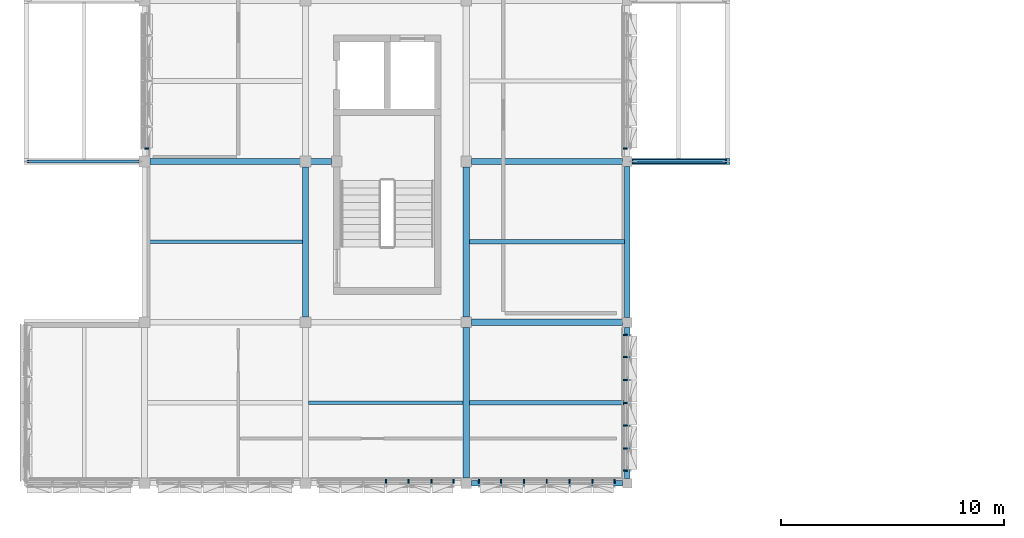
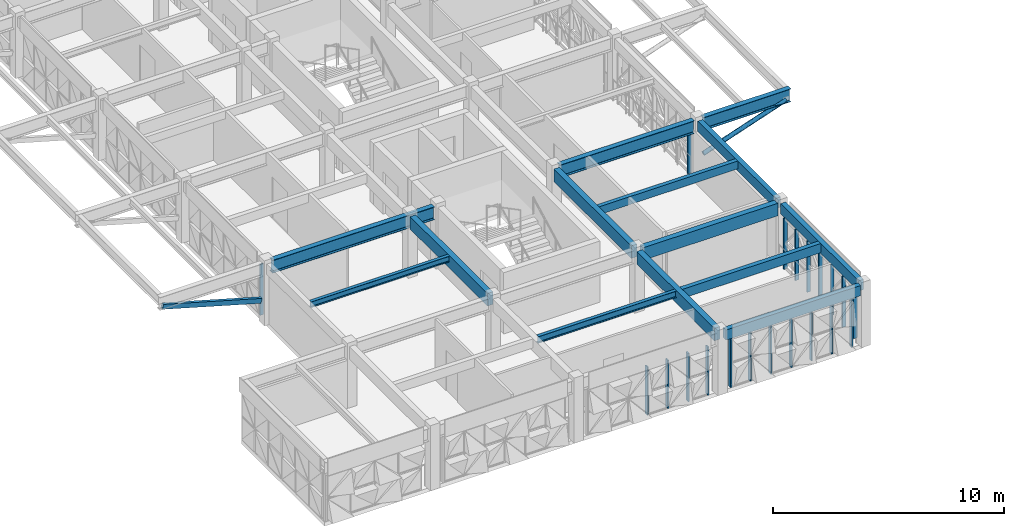
# One storey, part 3 of 30: 22 members, 14 beams, 5 elements without a shape of their own.
"""IFC4 building model written with IfcOpenShell, lengths in metres."""

from ifc_helpers import new_model, si_unit, direction, frame, origin, origin_2d, place, context, subcontext, project, spatial, rectangle, hollow_rectangle, hollow_circle, i_section, extrude, material, material_profile, profile_set, type_object, element, aggregate, save


model = new_model("IFC4")

# Units and contexts
model_context = context("Model", 3, precision=1e-05, world=origin(), true_north=direction((0.0, 1.0)))
body_context = subcontext(model_context, "Body", "Model", "MODEL_VIEW")
ifc_project = project(units=[si_unit("LENGTHUNIT", "METRE"), si_unit("AREAUNIT", "SQUARE_METRE"), si_unit("VOLUMEUNIT", "CUBIC_METRE"), si_unit("PLANEANGLEUNIT", "RADIAN"), si_unit("MASSUNIT", "GRAM", prefix="KILO")], contexts=[model_context])

# Site, building, storey
site_placement = place(None, origin())
site = spatial("IfcSite", under=ifc_project, at=site_placement, CompositionType="ELEMENT")
building_placement = place(site_placement, origin())
building = spatial("IfcBuilding", under=site, at=building_placement, Name="Alvorim Cloister Faculty of Sciences", CompositionType="ELEMENT")
storey_placement = place(building_placement, frame((0.0, 0.0, 26.25)))
storey = spatial("IfcBuildingStorey", under=building, at=storey_placement, Name="L07", CompositionType="ELEMENT", Elevation=26.25)

# Beams
ifc_material_1 = material(Name="Glulam GL28h", Category="wood")
ifc_material_profile_1 = material_profile(ifc_material_1, rectangle(XDim=0.280029296875, YDim=0.659912109375, at=origin_2d()), Name="GL28-BM-280x660")
ifc_profile_set_1 = profile_set([ifc_material_profile_1], Name="Glulam GL28h")
beam_type_1 = type_object("IfcBeamType", Name="BM-GL-280x660", PredefinedType="BEAM", material=ifc_profile_set_1)
beam_1_placement = place(storey_placement, frame((21.840087890625, 14.39990234375, 2.909912109375), z_axis=(1.0, 0.0, 0.0), x_axis=(0.0, 1.0, 0.0)))
element("IfcBeam", 1, at=beam_1_placement, inside=storey, type_object=beam_type_1, Name="L07 Primary Beam BM-2120", PredefinedType="BEAM", context=body_context, shape_type="SweptSolid", body=[
    extrude(rectangle(XDim=0.280029296875, YDim=0.659912109375, at=origin_2d()), origin(), (0.0, 0.0, 1.0), 6.739990234375),
])
beam_2_placement = place(storey_placement, frame((14.39990234375, 14.639892578125, 2.909912109375), z_axis=(0.0, 1.0, 0.0), x_axis=(-1.0, 0.0, 0.0)))
element("IfcBeam", 2, at=beam_2_placement, inside=storey, type_object=beam_type_1, Name="L07 Primary Girder BM-2134", PredefinedType="BEAM", context=body_context, shape_type="SweptSolid", body=[
    extrude(rectangle(XDim=0.280029296875, YDim=0.659912109375, at=origin_2d()), origin(), (0.0, 0.0, 1.0), 6.72021484375),
])
beam_3_placement = place(storey_placement, frame((21.60009765625, 7.43994140625, 2.909912109375), z_axis=(0.0, 1.0, 0.0), x_axis=(-1.0, 0.0, 0.0)))
element("IfcBeam", 3, at=beam_3_placement, inside=storey, type_object=beam_type_1, Name="L07 Primary Girder BM-2140", PredefinedType="BEAM", context=body_context, shape_type="SweptSolid", body=[
    extrude(rectangle(XDim=0.280029296875, YDim=0.659912109375, at=origin_2d()), origin(), (0.0, 0.0, 1.0), 6.719970703125),
])
beam_4_placement = place(storey_placement, frame((21.60009765625, 14.639892578125, 2.909912109375), z_axis=(0.0, 1.0, 0.0), x_axis=(-1.0, 0.0, 0.0)))
element("IfcBeam", 4, at=beam_4_placement, inside=storey, type_object=beam_type_1, Name="L07 Primary Girder BM-2141", PredefinedType="BEAM", context=body_context, shape_type="SweptSolid", body=[
    extrude(rectangle(XDim=0.280029296875, YDim=0.659912109375, at=origin_2d()), origin(), (0.0, 0.0, 1.0), 6.72021484375),
])
ifc_material_profile_2 = material_profile(ifc_material_1, rectangle(XDim=0.199951171875, YDim=0.419921875, at=origin_2d()), Name="GL28-JST-200x420")
ifc_profile_set_2 = profile_set([ifc_material_profile_2], Name="Glulam GL28h")
beam_type_2 = type_object("IfcBeamType", Name="BM-JST-GL-200x420", PredefinedType="JOIST", material=ifc_profile_set_2)
beam_5_placement = place(storey_placement, frame((21.739990234375, 18.0, 3.030029296875), z_axis=(1.0, 0.0, 0.0), x_axis=(0.0, 1.0, 0.0)))
element("IfcBeam", 5, at=beam_5_placement, inside=storey, type_object=beam_type_2, Name="L07 Secondary Floor Joist BM-2163", PredefinedType="JOIST", context=body_context, shape_type="SweptSolid", body=[
    extrude(rectangle(XDim=0.199951171875, YDim=0.419921875, at=origin_2d()), origin(), (0.0, 0.0, 1.0), 6.93994140625),
])
ifc_material_profile_3 = material_profile(ifc_material_1, rectangle(XDim=0.219970703125, YDim=0.47998046875, at=origin_2d()), Name="GL28-JST-220x480")
ifc_profile_set_3 = profile_set([ifc_material_profile_3], Name="Glulam GL28h")
beam_type_3 = type_object("IfcBeamType", Name="BM-JST-GL-220x480", PredefinedType="JOIST", material=ifc_profile_set_3)
beam_6_placement = place(storey_placement, frame((21.739990234375, 10.800048828125, 3.0), z_axis=(1.0, 0.0, 0.0), x_axis=(0.0, 1.0, 0.0)))
element("IfcBeam", 6, at=beam_6_placement, inside=storey, type_object=beam_type_3, Name="L07 Secondary Floor Joist BM-2162", PredefinedType="JOIST", context=body_context, shape_type="SweptSolid", body=[
    extrude(rectangle(XDim=0.219970703125, YDim=0.47998046875, at=origin_2d()), origin(), (0.0, 0.0, 1.0), 6.93994140625),
])
ifc_material_profile_4 = material_profile(ifc_material_1, rectangle(XDim=0.239990234375, YDim=0.5400390625, at=origin_2d()), Name="GL28-SPD-240x540")
ifc_profile_set_4 = profile_set([ifc_material_profile_4], Name="Glulam GL28h")
beam_type_4 = type_object("IfcBeamType", Name="BM-SPD-GL-240x540", PredefinedType="SPANDREL", material=ifc_profile_set_4)
beam_7_placement = place(storey_placement, frame((21.840087890625, 7.199951171875, 2.969970703125), z_axis=(1.0, 0.0, 0.0), x_axis=(0.0, 1.0, 0.0)))
element("IfcBeam", 7, at=beam_7_placement, inside=storey, type_object=beam_type_4, Name="L07 Primary Beam BM-2119", PredefinedType="SPANDREL", context=body_context, shape_type="SweptSolid", body=[
    extrude(rectangle(XDim=0.239990234375, YDim=0.5400390625, at=origin_2d()), origin(), (0.0, 0.0, 1.0), 6.739990234375),
])
beam_8_placement = place(storey_placement, frame((28.800048828125, 7.419921875, 2.969970703125), z_axis=(0.0, 1.0, 0.0), x_axis=(-1.0, 0.0, 0.0)))
element("IfcBeam", 8, at=beam_8_placement, inside=storey, type_object=beam_type_4, Name="L07 Primary Girder BM-2147", PredefinedType="SPANDREL", context=body_context, shape_type="SweptSolid", body=[
    extrude(rectangle(XDim=0.239990234375, YDim=0.5400390625, at=origin_2d()), origin(), (0.0, 0.0, 1.0), 6.760009765625),
])
beam_9_placement = place(storey_placement, frame((28.800048828125, 14.6201171875, 2.969970703125), z_axis=(0.0, 1.0, 0.0), x_axis=(-1.0, 0.0, 0.0)))
element("IfcBeam", 9, at=beam_9_placement, inside=storey, type_object=beam_type_4, Name="L07 Primary Girder BM-2148", PredefinedType="SPANDREL", context=body_context, shape_type="SweptSolid", body=[
    extrude(rectangle(XDim=0.239990234375, YDim=0.5400390625, at=origin_2d()), origin(), (0.0, 0.0, 1.0), 6.759765625),
])
ifc_material_2 = material(Name="Steel ASTM A572 Grade 50", Category="steel")
ifc_material_profile_5 = material_profile(ifc_material_2, i_section(OverallWidth=0.1650390625, OverallDepth=0.31005859375, WebThickness=0.005859375, FlangeThickness=0.009765625, FilletRadius=0.010986328125, at=origin_2d()), Name="W310x38.7")
ifc_profile_set_5 = profile_set([ifc_material_profile_5], Name="Steel ASTM A572 Grade 50")
beam_type_5 = type_object("IfcBeamType", Name="BM-STL-W310", PredefinedType="JOIST", material=ifc_profile_set_5)
beam_10_placement = place(storey_placement, frame((7.320068359375, 18.0, 3.0849609375), z_axis=(1.0, 0.0, 0.0), x_axis=(0.0, 1.0, 0.0)))
element("IfcBeam", 10, at=beam_10_placement, inside=storey, type_object=beam_type_5, Name="L07 Secondary Floor Joist BM-2155", PredefinedType="JOIST", context=body_context, shape_type="SweptSolid", body=[
    extrude(i_section(OverallWidth=0.1650390625, OverallDepth=0.31005859375, WebThickness=0.005859375, FlangeThickness=0.009765625, FilletRadius=0.010986328125, at=origin_2d()), origin(), (0.0, 0.0, 1.0), 6.93994140625),
])
ifc_material_profile_6 = material_profile(ifc_material_2, i_section(OverallWidth=0.1708984375, OverallDepth=0.35498046875, WebThickness=0.007080078125, FlangeThickness=0.01171875, FilletRadius=0.012939453125, at=origin_2d()), Name="W360x51.0")
ifc_profile_set_6 = profile_set([ifc_material_profile_6], Name="Steel ASTM A572 Grade 50")
beam_type_6 = type_object("IfcBeamType", Name="BM-STL-W360", PredefinedType="JOIST", material=ifc_profile_set_6)
beam_11_placement = place(storey_placement, frame((14.5400390625, 10.800048828125, 3.0625), z_axis=(1.0, 0.0, 0.0), x_axis=(0.0, 1.0, 0.0)))
element("IfcBeam", 11, at=beam_11_placement, inside=storey, type_object=beam_type_6, Name="L07 Secondary Floor Joist BM-2161", PredefinedType="JOIST", context=body_context, shape_type="SweptSolid", body=[
    extrude(i_section(OverallWidth=0.1708984375, OverallDepth=0.35498046875, WebThickness=0.007080078125, FlangeThickness=0.01171875, FilletRadius=0.012939453125, at=origin_2d()), origin(), (0.0, 0.0, 1.0), 6.919921875),
])
ifc_material_profile_7 = material_profile(ifc_material_2, i_section(OverallWidth=0.25390625, OverallDepth=0.68408203125, WebThickness=0.012451171875, FlangeThickness=0.01904296875, FilletRadius=0.01904296875, at=origin_2d()), Name="W690x140.0")
ifc_profile_set_7 = profile_set([ifc_material_profile_7], Name="Steel ASTM A572 Grade 50")
beam_type_7 = type_object("IfcBeamType", Name="BM-STL-W690", PredefinedType="BEAM", material=ifc_profile_set_7)
beam_12_placement = place(storey_placement, frame((7.43994140625, 21.60009765625, 2.89794921875), z_axis=(1.0, 0.0, 0.0), x_axis=(0.0, 1.0, 0.0)))
element("IfcBeam", 12, at=beam_12_placement, inside=storey, type_object=beam_type_7, Name="L07 Cantilever Backspan Girder BM-0169", PredefinedType="BEAM", context=body_context, shape_type="SweptSolid", body=[
    extrude(i_section(OverallWidth=0.25390625, OverallDepth=0.68408203125, WebThickness=0.012451171875, FlangeThickness=0.01904296875, FilletRadius=0.01904296875, at=origin_2d()), origin(), (0.0, 0.0, 1.0), 8.1201171875),
])
beam_13_placement = place(storey_placement, frame((21.840087890625, 21.60009765625, 2.89794921875), z_axis=(1.0, 0.0, 0.0), x_axis=(0.0, 1.0, 0.0)))
element("IfcBeam", 13, at=beam_13_placement, inside=storey, type_object=beam_type_7, Name="L07 Cantilever Backspan Girder BM-0205", PredefinedType="BEAM", context=body_context, shape_type="SweptSolid", body=[
    extrude(i_section(OverallWidth=0.25390625, OverallDepth=0.68408203125, WebThickness=0.012451171875, FlangeThickness=0.01904296875, FilletRadius=0.01904296875, at=origin_2d()), origin(), (0.0, 0.0, 1.0), 6.739990234375),
])
beam_14_placement = place(storey_placement, frame((29.02001953125, 21.60009765625, 2.89794921875), z_axis=(1.0, 0.0, 0.0), x_axis=(0.0, 1.0, 0.0)))
element("IfcBeam", 14, at=beam_14_placement, inside=storey, type_object=beam_type_7, Name="L07 Cantilever Overhang Girder BM-0206", PredefinedType="BEAM", context=body_context, shape_type="SweptSolid", body=[
    extrude(i_section(OverallWidth=0.25390625, OverallDepth=0.68408203125, WebThickness=0.012451171875, FlangeThickness=0.01904296875, FilletRadius=0.01904296875, at=origin_2d()), origin(), (0.0, 0.0, 1.0), 4.3798828125),
])

# Curtain wall, members
ifc_material_3 = material(Name="Aluminium and Low-E Glass Curtain Wall", Category="aluminium")
curtain_wall_type_1 = type_object("IfcCurtainWallType", Name="CW-TRI-6120x2700", PredefinedType="USERDEFINED", material=ifc_material_3)
curtain_wall_1_placement = place(storey_placement, origin())
curtain_wall_1 = element("IfcCurtainWall", 15, at=curtain_wall_1_placement, inside=storey, type_object=curtain_wall_type_1, Name="L07 Diagonal Cassette Curtain Wall CW-0262", ObjectType="UNITISED CURTAIN WALL", PredefinedType="USERDEFINED")
ifc_material_4 = material(Name="Aluminium Alloy 6063-T6", Category="aluminium")
ifc_material_profile_8 = material_profile(ifc_material_4, rectangle(XDim=0.06494140625, YDim=0.179931640625, at=origin_2d()), Name="ALU-MUL-65x180")
ifc_profile_set_8 = profile_set([ifc_material_profile_8], Name="Aluminium Alloy 6063-T6")
member_type_1 = type_object("IfcMemberType", Name="CW-MUL-65x180", PredefinedType="MULLION", material=ifc_profile_set_8)
member_1_placement = place(storey_placement, frame((22.172607421875, 7.2900390625, 0.0), z_axis=(0.0, 0.0, 1.0), x_axis=(1.0, 0.0, 0.0)))
member_1 = element("IfcMember", 16, at=member_1_placement, type_object=member_type_1, Name="CW-0262 Mullion 1", PredefinedType="MULLION", context=body_context, shape_type="SweptSolid", body=[
    extrude(rectangle(XDim=0.06494140625, YDim=0.179931640625, at=origin_2d()), origin(), (0.0, 0.0, 1.0), 2.699951171875),
])
member_2_placement = place(storey_placement, frame((23.159912109375, 7.2900390625, 0.0), z_axis=(0.0, 0.0, 1.0), x_axis=(1.0, 0.0, 0.0)))
member_2 = element("IfcMember", 17, at=member_2_placement, type_object=member_type_1, Name="CW-0262 Mullion 2", PredefinedType="MULLION", context=body_context, shape_type="SweptSolid", body=[
    extrude(rectangle(XDim=0.06494140625, YDim=0.179931640625, at=origin_2d()), origin(), (0.0, 0.0, 1.0), 2.699951171875),
])
member_3_placement = place(storey_placement, frame((24.179931640625, 7.2900390625, 0.0), z_axis=(0.0, 0.0, 1.0), x_axis=(1.0, 0.0, 0.0)))
member_3 = element("IfcMember", 18, at=member_3_placement, type_object=member_type_1, Name="CW-0262 Mullion 3", PredefinedType="MULLION", context=body_context, shape_type="SweptSolid", body=[
    extrude(rectangle(XDim=0.06494140625, YDim=0.179931640625, at=origin_2d()), origin(), (0.0, 0.0, 1.0), 2.699951171875),
])
member_4_placement = place(storey_placement, frame((25.199951171875, 7.2900390625, 0.0), z_axis=(0.0, 0.0, 1.0), x_axis=(1.0, 0.0, 0.0)))
member_4 = element("IfcMember", 19, at=member_4_placement, type_object=member_type_1, Name="CW-0262 Mullion 4", PredefinedType="MULLION", context=body_context, shape_type="SweptSolid", body=[
    extrude(rectangle(XDim=0.06494140625, YDim=0.179931640625, at=origin_2d()), origin(), (0.0, 0.0, 1.0), 2.699951171875),
])
member_5_placement = place(storey_placement, frame((26.219970703125, 7.2900390625, 0.0), z_axis=(0.0, 0.0, 1.0), x_axis=(1.0, 0.0, 0.0)))
member_5 = element("IfcMember", 20, at=member_5_placement, type_object=member_type_1, Name="CW-0262 Mullion 5", PredefinedType="MULLION", context=body_context, shape_type="SweptSolid", body=[
    extrude(rectangle(XDim=0.06494140625, YDim=0.179931640625, at=origin_2d()), origin(), (0.0, 0.0, 1.0), 2.699951171875),
])
member_6_placement = place(storey_placement, frame((27.239990234375, 7.2900390625, 0.0), z_axis=(0.0, 0.0, 1.0), x_axis=(1.0, 0.0, 0.0)))
member_6 = element("IfcMember", 21, at=member_6_placement, type_object=member_type_1, Name="CW-0262 Mullion 6", PredefinedType="MULLION", context=body_context, shape_type="SweptSolid", body=[
    extrude(rectangle(XDim=0.06494140625, YDim=0.179931640625, at=origin_2d()), origin(), (0.0, 0.0, 1.0), 2.699951171875),
])
member_7_placement = place(storey_placement, frame((28.2275390625, 7.2900390625, 0.0), z_axis=(0.0, 0.0, 1.0), x_axis=(1.0, 0.0, 0.0)))
member_7 = element("IfcMember", 22, at=member_7_placement, type_object=member_type_1, Name="CW-0262 Mullion 7", PredefinedType="MULLION", context=body_context, shape_type="SweptSolid", body=[
    extrude(rectangle(XDim=0.06494140625, YDim=0.179931640625, at=origin_2d()), origin(), (0.0, 0.0, 1.0), 2.699951171875),
])
aggregate(curtain_wall_1, [member_1, member_2, member_3, member_4, member_5, member_6, member_7])

curtain_wall_type_2 = type_object("IfcCurtainWallType", Name="CW-TRI-6120x2556", PredefinedType="USERDEFINED", material=ifc_material_3)
curtain_wall_2_placement = place(storey_placement, origin())
curtain_wall_2 = element("IfcCurtainWall", 23, at=curtain_wall_2_placement, inside=storey, type_object=curtain_wall_type_2, Name="L07 Diagonal Cassette Curtain Wall CW-0263", ObjectType="UNITISED CURTAIN WALL", PredefinedType="USERDEFINED")
member_8_placement = place(storey_placement, frame((18.0, 7.2900390625, 0.0), z_axis=(0.0, 0.0, 1.0), x_axis=(1.0, 0.0, 0.0)))
member_8 = element("IfcMember", 24, at=member_8_placement, type_object=member_type_1, Name="CW-0263 Mullion 4", PredefinedType="MULLION", context=body_context, shape_type="SweptSolid", body=[
    extrude(rectangle(XDim=0.06494140625, YDim=0.179931640625, at=origin_2d()), origin(), (0.0, 0.0, 1.0), 2.555908203125),
])
member_9_placement = place(storey_placement, frame((19.02001953125, 7.2900390625, 0.0), z_axis=(0.0, 0.0, 1.0), x_axis=(1.0, 0.0, 0.0)))
member_9 = element("IfcMember", 25, at=member_9_placement, type_object=member_type_1, Name="CW-0263 Mullion 5", PredefinedType="MULLION", context=body_context, shape_type="SweptSolid", body=[
    extrude(rectangle(XDim=0.06494140625, YDim=0.179931640625, at=origin_2d()), origin(), (0.0, 0.0, 1.0), 2.555908203125),
])
member_10_placement = place(storey_placement, frame((20.0400390625, 7.2900390625, 0.0), z_axis=(0.0, 0.0, 1.0), x_axis=(1.0, 0.0, 0.0)))
member_10 = element("IfcMember", 26, at=member_10_placement, type_object=member_type_1, Name="CW-0263 Mullion 6", PredefinedType="MULLION", context=body_context, shape_type="SweptSolid", body=[
    extrude(rectangle(XDim=0.06494140625, YDim=0.179931640625, at=origin_2d()), origin(), (0.0, 0.0, 1.0), 2.555908203125),
])
member_11_placement = place(storey_placement, frame((21.027587890625, 7.2900390625, 0.0), z_axis=(0.0, 0.0, 1.0), x_axis=(1.0, 0.0, 0.0)))
member_11 = element("IfcMember", 27, at=member_11_placement, type_object=member_type_1, Name="CW-0263 Mullion 7", PredefinedType="MULLION", context=body_context, shape_type="SweptSolid", body=[
    extrude(rectangle(XDim=0.06494140625, YDim=0.179931640625, at=origin_2d()), origin(), (0.0, 0.0, 1.0), 2.555908203125),
])
aggregate(curtain_wall_2, [member_8, member_9, member_10, member_11])

# Curtain wall, member
curtain_wall_3_placement = place(storey_placement, origin())
curtain_wall_3 = element("IfcCurtainWall", 28, at=curtain_wall_3_placement, inside=storey, type_object=curtain_wall_type_1, Name="L07 Diagonal Cassette Curtain Wall CW-0267", ObjectType="UNITISED CURTAIN WALL", PredefinedType="USERDEFINED")
member_12_placement = place(storey_placement, frame((7.2900390625, 22.172607421875, 0.0), z_axis=(0.0, 0.0, 1.0), x_axis=(0.0, 1.0, 0.0)))
member_12 = element("IfcMember", 29, at=member_12_placement, type_object=member_type_1, Name="CW-0267 Mullion 1", PredefinedType="MULLION", context=body_context, shape_type="SweptSolid", body=[
    extrude(rectangle(XDim=0.06494140625, YDim=0.179931640625, at=origin_2d()), origin(), (0.0, 0.0, 1.0), 2.699951171875),
])
aggregate(curtain_wall_3, [member_12])

curtain_wall_4_placement = place(storey_placement, origin())
curtain_wall_4 = element("IfcCurtainWall", 30, at=curtain_wall_4_placement, inside=storey, type_object=curtain_wall_type_1, Name="L07 Diagonal Cassette Curtain Wall CW-0279", ObjectType="UNITISED CURTAIN WALL", PredefinedType="USERDEFINED")
member_13_placement = place(storey_placement, frame((28.7099609375, 22.172607421875, 0.0), z_axis=(0.0, 0.0, 1.0), x_axis=(0.0, 1.0, 0.0)))
member_13 = element("IfcMember", 31, at=member_13_placement, type_object=member_type_1, Name="CW-0279 Mullion 1", PredefinedType="MULLION", context=body_context, shape_type="SweptSolid", body=[
    extrude(rectangle(XDim=0.06494140625, YDim=0.179931640625, at=origin_2d()), origin(), (0.0, 0.0, 1.0), 2.699951171875),
])
aggregate(curtain_wall_4, [member_13])

# Curtain wall, members
curtain_wall_5_placement = place(storey_placement, origin())
curtain_wall_5 = element("IfcCurtainWall", 32, at=curtain_wall_5_placement, inside=storey, type_object=curtain_wall_type_1, Name="L07 Diagonal Cassette Curtain Wall CW-0280", ObjectType="UNITISED CURTAIN WALL", PredefinedType="USERDEFINED")
member_14_placement = place(storey_placement, frame((28.7099609375, 7.7724609375, 0.0), z_axis=(0.0, 0.0, 1.0), x_axis=(0.0, 1.0, 0.0)))
member_14 = element("IfcMember", 33, at=member_14_placement, type_object=member_type_1, Name="CW-0280 Mullion 1", PredefinedType="MULLION", context=body_context, shape_type="SweptSolid", body=[
    extrude(rectangle(XDim=0.06494140625, YDim=0.179931640625, at=origin_2d()), origin(), (0.0, 0.0, 1.0), 2.699951171875),
])
member_15_placement = place(storey_placement, frame((28.7099609375, 8.760009765625, 0.0), z_axis=(0.0, 0.0, 1.0), x_axis=(0.0, 1.0, 0.0)))
member_15 = element("IfcMember", 34, at=member_15_placement, type_object=member_type_1, Name="CW-0280 Mullion 2", PredefinedType="MULLION", context=body_context, shape_type="SweptSolid", body=[
    extrude(rectangle(XDim=0.06494140625, YDim=0.179931640625, at=origin_2d()), origin(), (0.0, 0.0, 1.0), 2.699951171875),
])
member_16_placement = place(storey_placement, frame((28.7099609375, 9.780029296875, 0.0), z_axis=(0.0, 0.0, 1.0), x_axis=(0.0, 1.0, 0.0)))
member_16 = element("IfcMember", 35, at=member_16_placement, type_object=member_type_1, Name="CW-0280 Mullion 3", PredefinedType="MULLION", context=body_context, shape_type="SweptSolid", body=[
    extrude(rectangle(XDim=0.06494140625, YDim=0.179931640625, at=origin_2d()), origin(), (0.0, 0.0, 1.0), 2.699951171875),
])
member_17_placement = place(storey_placement, frame((28.7099609375, 10.800048828125, 0.0), z_axis=(0.0, 0.0, 1.0), x_axis=(0.0, 1.0, 0.0)))
member_17 = element("IfcMember", 36, at=member_17_placement, type_object=member_type_1, Name="CW-0280 Mullion 4", PredefinedType="MULLION", context=body_context, shape_type="SweptSolid", body=[
    extrude(rectangle(XDim=0.06494140625, YDim=0.179931640625, at=origin_2d()), origin(), (0.0, 0.0, 1.0), 2.699951171875),
])
member_18_placement = place(storey_placement, frame((28.7099609375, 11.820068359375, 0.0), z_axis=(0.0, 0.0, 1.0), x_axis=(0.0, 1.0, 0.0)))
member_18 = element("IfcMember", 37, at=member_18_placement, type_object=member_type_1, Name="CW-0280 Mullion 5", PredefinedType="MULLION", context=body_context, shape_type="SweptSolid", body=[
    extrude(rectangle(XDim=0.06494140625, YDim=0.179931640625, at=origin_2d()), origin(), (0.0, 0.0, 1.0), 2.699951171875),
])
member_19_placement = place(storey_placement, frame((28.7099609375, 12.840087890625, 0.0), z_axis=(0.0, 0.0, 1.0), x_axis=(0.0, 1.0, 0.0)))
member_19 = element("IfcMember", 38, at=member_19_placement, type_object=member_type_1, Name="CW-0280 Mullion 6", PredefinedType="MULLION", context=body_context, shape_type="SweptSolid", body=[
    extrude(rectangle(XDim=0.06494140625, YDim=0.179931640625, at=origin_2d()), origin(), (0.0, 0.0, 1.0), 2.699951171875),
])
member_20_placement = place(storey_placement, frame((28.7099609375, 13.827392578125, 0.0), z_axis=(0.0, 0.0, 1.0), x_axis=(0.0, 1.0, 0.0)))
member_20 = element("IfcMember", 39, at=member_20_placement, type_object=member_type_1, Name="CW-0280 Mullion 7", PredefinedType="MULLION", context=body_context, shape_type="SweptSolid", body=[
    extrude(rectangle(XDim=0.06494140625, YDim=0.179931640625, at=origin_2d()), origin(), (0.0, 0.0, 1.0), 2.699951171875),
])
aggregate(curtain_wall_5, [member_14, member_15, member_16, member_17, member_18, member_19, member_20])

# Members
ifc_material_profile_9 = material_profile(ifc_material_2, hollow_circle(Radius=0.109619140625, WallThickness=0.010009765625, at=origin_2d()), Name="CHS219.1x10")
ifc_profile_set_9 = profile_set([ifc_material_profile_9], Name="Steel ASTM A572 Grade 50")
member_type_2 = type_object("IfcMemberType", Name="MB-BRC-CHS219", PredefinedType="BRACE", material=ifc_profile_set_9)
member_21_placement = place(storey_placement, frame((29.080078125, 21.60009765625, 1.25), z_axis=(0.9466089532, 0.0, 0.322384071754), x_axis=(0.0, 1.0, 0.0)))
element("IfcMember", 40, at=member_21_placement, inside=storey, type_object=member_type_2, Name="L07 Cantilever Raker Strut MB-0022", PredefinedType="BRACE", context=body_context, shape_type="SweptSolid", body=[
    extrude(hollow_circle(Radius=0.109619140625, WallThickness=0.010009765625, at=origin_2d()), origin(), (0.0, 0.0, 1.0), 4.373291015625),
])
ifc_material_profile_10 = material_profile(ifc_material_2, hollow_rectangle(XDim=0.14990234375, YDim=0.25, WallThickness=0.010009765625, at=origin_2d()), Name="RHS250x150x10")
ifc_profile_set_10 = profile_set([ifc_material_profile_10], Name="Steel ASTM A572 Grade 50")
member_type_3 = type_object("IfcMemberType", Name="MB-BRC-RHS250", PredefinedType="BRACE", material=ifc_profile_set_10)
member_22_placement = place(storey_placement, frame((6.919921875, 21.60009765625, 1.25), z_axis=(-0.961601024208, 0.0, 0.274451216507), x_axis=(0.0, -1.0, 0.0)))
element("IfcMember", 41, at=member_22_placement, inside=storey, type_object=member_type_3, Name="L07 Cantilever Raker Strut MB-0017", PredefinedType="BRACE", context=body_context, shape_type="SweptSolid", body=[
    extrude(hollow_rectangle(XDim=0.14990234375, YDim=0.25, WallThickness=0.010009765625, at=origin_2d()), origin(), (0.0, 0.0, 1.0), 5.13720703125),
])

save(model, "model.ifc")
